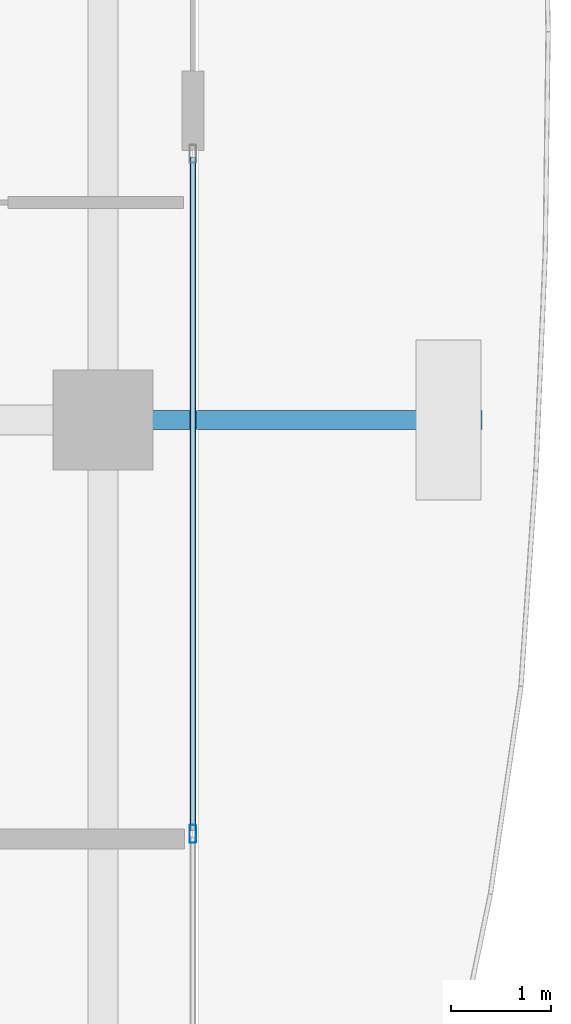
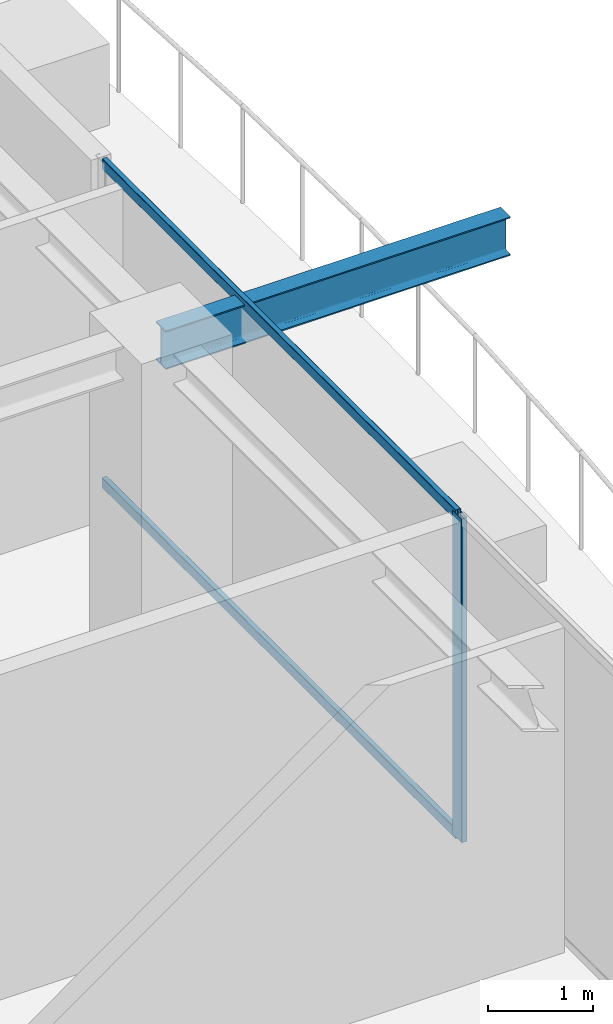
# One storey, part 16 of 42: 3 members, 1 beam, 1 element without a shape of its own.
"""IFC4 building model written with IfcOpenShell, lengths in metres."""

from ifc_helpers import new_model, si_unit, direction, frame, origin, origin_2d, place, context, subcontext, project, spatial, hollow_rectangle, i_section, extrude, source, transform, mapped, material, layer, layer_set, material_profile, profile_set, type_object, element, aggregate, save


model = new_model("IFC4")

# Units and contexts
model_context = context("Model", 3, precision=1e-05, world=origin(), true_north=direction((0.0, 1.0)))
body_context = subcontext(model_context, "Body", "Model", "MODEL_VIEW")
ifc_project = project(units=[si_unit("LENGTHUNIT", "METRE"), si_unit("AREAUNIT", "SQUARE_METRE"), si_unit("VOLUMEUNIT", "CUBIC_METRE"), si_unit("PLANEANGLEUNIT", "RADIAN"), si_unit("MASSUNIT", "GRAM", prefix="KILO")], contexts=[model_context])

# Site, building, storey
site_placement = place(None, origin())
site = spatial("IfcSite", under=ifc_project, at=site_placement, CompositionType="ELEMENT")
building_placement = place(site_placement, origin())
building = spatial("IfcBuilding", under=site, at=building_placement, Name="Serunith Strait Residences", CompositionType="ELEMENT")
storey_placement = place(building_placement, frame((0.0, 0.0, 297.5)))
storey = spatial("IfcBuildingStorey", under=building, at=storey_placement, Name="L74", CompositionType="ELEMENT", Elevation=297.5)

# Beam
ifc_material_1 = material(Name="Steel S355J2", Category="steel")
ifc_material_profile_1 = material_profile(ifc_material_1, i_section(OverallWidth=0.18994140625, OverallDepth=0.449951171875, WebThickness=0.009521484375, FlangeThickness=0.0146484375, FilletRadius=0.02099609375, at=origin_2d()), Name="IPE 450")
ifc_profile_set_1 = profile_set([ifc_material_profile_1], Name="Steel S355J2")
beam_type = type_object("IfcBeamType", Name="BM-IPE450", PredefinedType="JOIST", material=ifc_profile_set_1)
shared_shape_1 = source(origin(), body_context, "Body", "SweptSolid", [
    extrude(i_section(OverallWidth=0.18994140625, OverallDepth=0.449951171875, WebThickness=0.009521484375, FlangeThickness=0.0146484375, FilletRadius=0.02099609375, at=origin_2d()), origin(), (0.0, 0.0, 1.0), 3.800048828125),
])
beam_placement = place(storey_placement, frame((54.699951171875, 21.0, 3.531982421875), z_axis=(1.0, 0.0, 0.0), x_axis=(0.0, 1.0, 0.0)))
element("IfcBeam", 1, at=beam_placement, inside=storey, type_object=beam_type, Name="L75 Cantilevered Balcony Rib TC-E2", PredefinedType="JOIST", context=body_context, shape_type="MappedRepresentation", body=[
    mapped(shared_shape_1, transform((0.0, 0.0, 0.0), scale=1.0)),
])

# Curtain wall, members
ifc_material_2 = material(Name="Brushed Stainless-Silver Aluminium", Category="aluminium")
ifc_layer = layer(ifc_material_2, 0.199951171875, Name="Brushed Stainless-Silver Aluminium")
ifc_layer_set = layer_set([ifc_layer], Name="Brushed Stainless-Silver Aluminium")
curtain_wall_type = type_object("IfcCurtainWallType", Name="CW-SYS5", PredefinedType="NOTDEFINED", material=ifc_layer_set)
curtain_wall_placement = place(storey_placement, origin())
curtain_wall = element("IfcCurtainWall", 2, at=curtain_wall_placement, inside=storey, type_object=curtain_wall_type, Name="L74 E Unitised Fritted Curtain Wall", PredefinedType="NOTDEFINED")
ifc_material_profile_2 = material_profile(ifc_material_2, hollow_rectangle(XDim=0.06005859375, YDim=0.1201171875, WallThickness=0.00341796875, InnerFilletRadius=0.00537109375, OuterFilletRadius=0.0087890625, at=origin_2d()), Name="ALU 120x60x3.5")
ifc_profile_set_2 = profile_set([ifc_material_profile_2], Name="Brushed Stainless-Silver Aluminium")
member_type_1 = type_object("IfcMemberType", Name="CW-SYS5-TRAN", PredefinedType="USERDEFINED", material=ifc_profile_set_2)
shared_shape_2 = source(origin(), body_context, "Body", "SweptSolid", [
    extrude(hollow_rectangle(XDim=0.06005859375, YDim=0.1201171875, WallThickness=0.00341796875, InnerFilletRadius=0.00537109375, OuterFilletRadius=0.0087890625, at=origin_2d()), origin(), (0.0, 0.0, 1.0), 6.75244140625),
])
member_1_placement = place(storey_placement, frame((55.60009765625, 16.882568359375, 0.030029296875), z_axis=(0.0, 1.0, 0.0), x_axis=(-1.0, 0.0, 0.0)))
member_1 = element("IfcMember", 3, at=member_1_placement, type_object=member_type_1, Name="CW-5 transom 2.1", ObjectType="TRANSOM", PredefinedType="USERDEFINED", context=body_context, shape_type="MappedRepresentation", body=[
    mapped(shared_shape_2, transform((0.0, 0.0, 0.0), scale=1.0)),
])
member_2_placement = place(storey_placement, frame((55.60009765625, 16.882568359375, 3.7451171875), z_axis=(0.0, 1.0, 0.0), x_axis=(-1.0, 0.0, 0.0)))
member_2 = element("IfcMember", 4, at=member_2_placement, type_object=member_type_1, Name="CW-5 transom 2.2", ObjectType="TRANSOM", PredefinedType="USERDEFINED", context=body_context, shape_type="MappedRepresentation", body=[
    mapped(shared_shape_2, transform((0.0, 0.0, 0.0), scale=1.0)),
])
ifc_material_profile_3 = material_profile(ifc_material_2, hollow_rectangle(XDim=0.06494140625, YDim=0.179931640625, WallThickness=0.00341796875, InnerFilletRadius=0.00537109375, OuterFilletRadius=0.0087890625, at=origin_2d()), Name="ALU 180x65x3.5")
ifc_profile_set_3 = profile_set([ifc_material_profile_3], Name="Brushed Stainless-Silver Aluminium")
member_type_2 = type_object("IfcMemberType", Name="CW-SYS5-MULL", PredefinedType="MULLION", material=ifc_profile_set_3)
shared_shape_3 = source(origin(), body_context, "Body", "SweptSolid", [
    extrude(hollow_rectangle(XDim=0.06494140625, YDim=0.179931640625, WallThickness=0.00341796875, InnerFilletRadius=0.00537109375, OuterFilletRadius=0.0087890625, at=origin_2d()), origin(), (0.0, 0.0, 1.0), 3.77490234375),
])
member_3_placement = place(storey_placement, frame((55.60009765625, 16.85009765625, 0.0), z_axis=(0.0, 0.0, 1.0), x_axis=(-1.0, 0.0, 0.0)))
member_3 = element("IfcMember", 5, at=member_3_placement, type_object=member_type_2, Name="CW-5 mullion 2", PredefinedType="MULLION", context=body_context, shape_type="MappedRepresentation", body=[
    mapped(shared_shape_3, transform((0.0, 0.0, 0.0), scale=1.0)),
])
aggregate(curtain_wall, [member_3, member_1, member_2])

save(model, "model.ifc")
